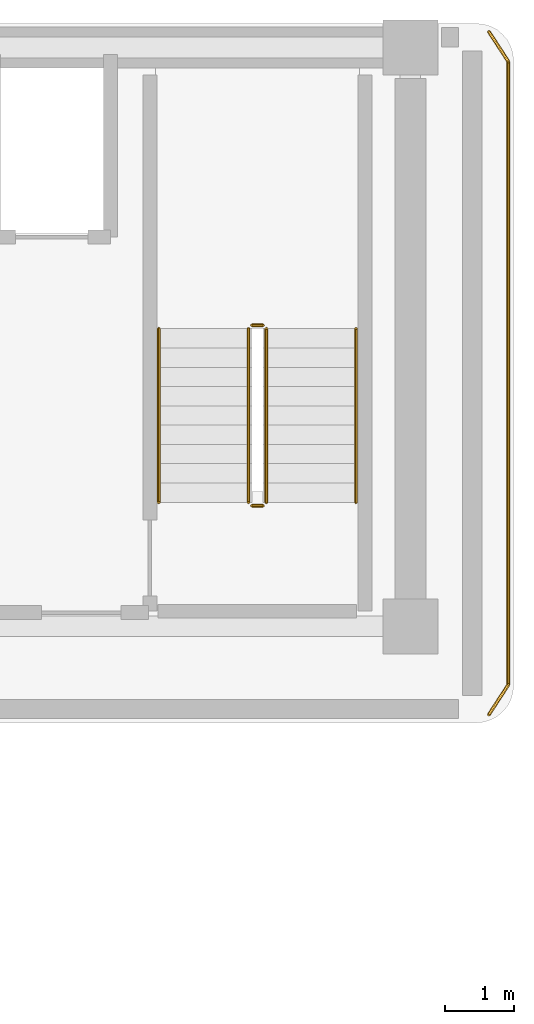
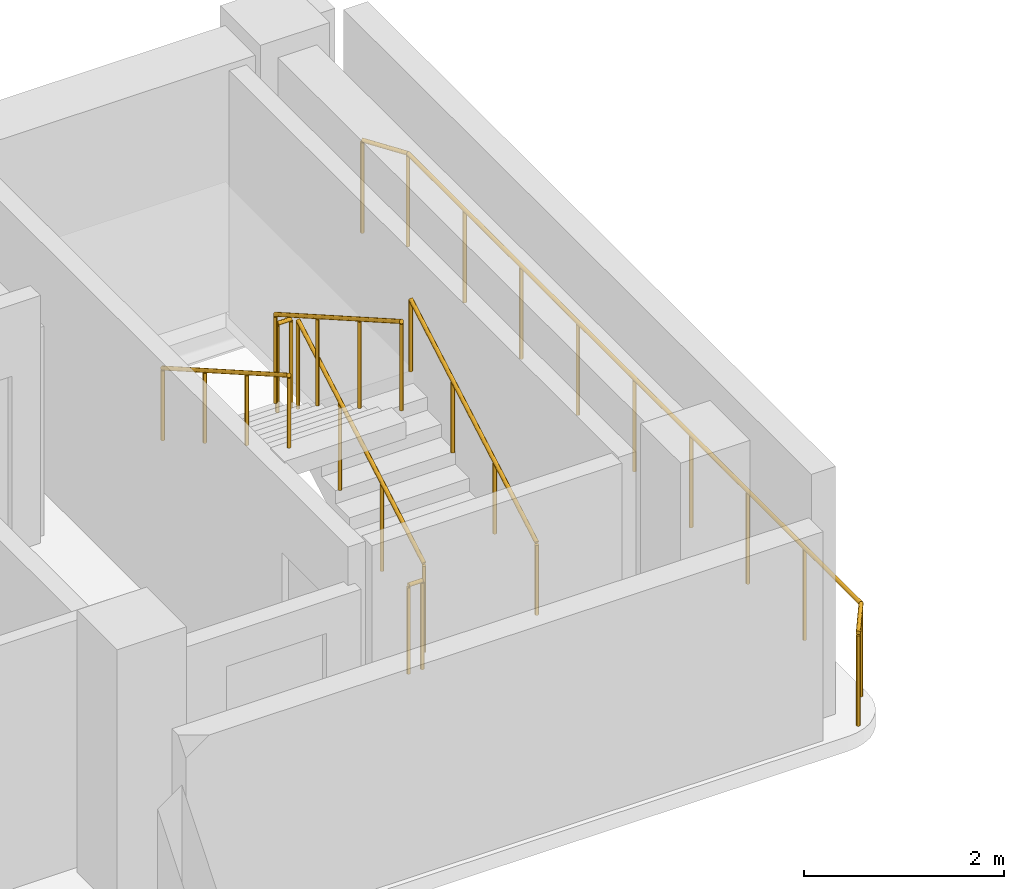
# One storey, part 11 of 11: 9 railings.
"""IFC4 building model written with IfcOpenShell, lengths in metres."""

from ifc_helpers import new_model, si_unit, direction, frame, origin, origin_2d, place, context, subcontext, project, spatial, circle, extrude, material, layer, layer_set, type_object, element, save


model = new_model("IFC4")

# Units and contexts
model_context = context("Model", 3, precision=1e-05, world=origin(), true_north=direction((0.0, 1.0)))
body_context = subcontext(model_context, "Body", "Model", "MODEL_VIEW")
ifc_project = project(units=[si_unit("LENGTHUNIT", "METRE"), si_unit("AREAUNIT", "SQUARE_METRE"), si_unit("VOLUMEUNIT", "CUBIC_METRE"), si_unit("PLANEANGLEUNIT", "RADIAN"), si_unit("MASSUNIT", "GRAM", prefix="KILO")], contexts=[model_context])

# Site, building, storey
site_placement = place(None, origin())
site = spatial("IfcSite", under=ifc_project, at=site_placement, CompositionType="ELEMENT")
building_placement = place(site_placement, origin())
building = spatial("IfcBuilding", under=site, at=building_placement, Name="Kuzgunbayir Cultural Tower", CompositionType="ELEMENT")
storey_placement = place(building_placement, frame((0.0, 0.0, 234.39990234375)))
storey = spatial("IfcBuildingStorey", under=building, at=storey_placement, Name="L69", CompositionType="ELEMENT", Elevation=234.39990234375)

# Railings
ifc_material_1 = material(Name="Laminated Glass and Stainless Steel", Category="steel")
ifc_layer_1 = layer(ifc_material_1, 0.080078125)
ifc_layer_set_1 = layer_set([ifc_layer_1], Name="Laminated Glass and Stainless Steel")
railing_type_1 = type_object("IfcRailingType", Name="RLG-BAL-115", PredefinedType="BALUSTRADE", material=ifc_layer_set_1)
railing_1_placement = place(storey_placement, frame((28.0400390625, 42.429931640625, 0.0)))
element("IfcRailing", 1, at=railing_1_placement, inside=storey, type_object=railing_type_1, Name="L69 Perimeter Edge Guard 1", PredefinedType="BALUSTRADE", context=body_context, shape_type="SweptSolid", body=[
    extrude(circle(Radius=0.02392578125, at=origin_2d()), frame((0.0, 0.0, 1.1259765625), z_axis=(0.545774188207, -0.837932297675, 0.0), x_axis=(0.837932297675, 0.545774188207, 0.0)), (0.0, 0.0, 1.0), 0.51318359375),
    extrude(circle(Radius=0.02099609375, at=origin_2d()), origin(), (0.0, 0.0, 1.0), 1.101806640625),
    extrude(circle(Radius=0.02099609375, at=origin_2d()), frame((0.280029296875, -0.429931640625, 0.0)), (0.0, 0.0, 1.0), 1.101806640625),
])
railing_2_placement = place(storey_placement, frame((28.320068359375, 42.0, 0.0)))
element("IfcRailing", 2, at=railing_2_placement, inside=storey, type_object=railing_type_1, Name="L69 Perimeter Edge Guard 2", PredefinedType="BALUSTRADE", context=body_context, shape_type="SweptSolid", body=[
    extrude(circle(Radius=0.02392578125, at=origin_2d()), frame((0.0, 0.0, 1.1259765625), z_axis=(0.0, -1.0, 0.0), x_axis=(1.0, 0.0, 0.0)), (0.0, 0.0, 1.0), 9.050048828125),
    extrude(circle(Radius=0.02099609375, at=origin_2d()), origin(), (0.0, 0.0, 1.0), 1.101806640625),
    extrude(circle(Radius=0.02099609375, at=origin_2d()), frame((0.0, -1.13134765625, 0.0)), (0.0, 0.0, 1.0), 1.101806640625),
    extrude(circle(Radius=0.02099609375, at=origin_2d()), frame((0.0, -2.262451171875, 0.0)), (0.0, 0.0, 1.0), 1.101806640625),
    extrude(circle(Radius=0.02099609375, at=origin_2d()), frame((0.0, -3.393798828125, 0.0)), (0.0, 0.0, 1.0), 1.101806640625),
    extrude(circle(Radius=0.02099609375, at=origin_2d()), frame((0.0, -4.52490234375, 0.0)), (0.0, 0.0, 1.0), 1.101806640625),
    extrude(circle(Radius=0.02099609375, at=origin_2d()), frame((0.0, -5.65625, 0.0)), (0.0, 0.0, 1.0), 1.101806640625),
    extrude(circle(Radius=0.02099609375, at=origin_2d()), frame((0.0, -6.78759765625, 0.0)), (0.0, 0.0, 1.0), 1.101806640625),
    extrude(circle(Radius=0.02099609375, at=origin_2d()), frame((0.0, -7.918701171875, 0.0)), (0.0, 0.0, 1.0), 1.101806640625),
    extrude(circle(Radius=0.02099609375, at=origin_2d()), frame((0.0, -9.050048828125, 0.0)), (0.0, 0.0, 1.0), 1.101806640625),
])
railing_3_placement = place(storey_placement, frame((28.320068359375, 32.949951171875, 0.0)))
element("IfcRailing", 3, at=railing_3_placement, inside=storey, type_object=railing_type_1, Name="L69 Perimeter Edge Guard 3", PredefinedType="BALUSTRADE", context=body_context, shape_type="SweptSolid", body=[
    extrude(circle(Radius=0.02392578125, at=origin_2d()), frame((0.0, 0.0, 1.1259765625), z_axis=(-0.545774188207, -0.837932297675, 0.0), x_axis=(0.837932297675, -0.545774188207, 0.0)), (0.0, 0.0, 1.0), 0.51318359375),
    extrude(circle(Radius=0.02099609375, at=origin_2d()), origin(), (0.0, 0.0, 1.0), 1.101806640625),
    extrude(circle(Radius=0.02099609375, at=origin_2d()), frame((-0.280029296875, -0.429931640625, 0.0)), (0.0, 0.0, 1.0), 1.101806640625),
])
ifc_material_2 = material(Name="Brushed Stainless Steel", Category="steel")
ifc_layer_2 = layer(ifc_material_2, 0.050048828125)
ifc_layer_set_2 = layer_set([ifc_layer_2], Name="Brushed Stainless Steel")
railing_type_2 = type_object("IfcRailingType", Name="RLG-STAIR-HANDRAIL", PredefinedType="HANDRAIL", material=ifc_layer_set_2)
railing_4_placement = place(storey_placement, frame((26.110107421875, 35.60009765625, 0.16015625)))
element("IfcRailing", 4, at=railing_4_placement, inside=storey, type_object=railing_type_2, Name="L69 ST-2 stair handrail 1", PredefinedType="HANDRAIL", context=body_context, shape_type="SweptSolid", body=[
    extrude(circle(Radius=0.02392578125, at=origin_2d()), frame((0.0, 0.0, 0.8759765625), z_axis=(0.0, 0.868253494771, 0.496120820787), x_axis=(-1.0, 0.0, 0.0)), (0.0, 0.0, 1.0), 2.90234375),
    extrude(circle(Radius=0.02099609375, at=origin_2d()), origin(), (0.0, 0.0, 1.0), 0.851806640625),
    extrude(circle(Radius=0.02099609375, at=origin_2d()), frame((0.0, 0.840087890625, 0.47998046875)), (0.0, 0.0, 1.0), 0.851806640625),
    extrude(circle(Radius=0.02099609375, at=origin_2d()), frame((0.0, 1.679931640625, 0.9599609375)), (0.0, 0.0, 1.0), 0.851806640625),
    extrude(circle(Radius=0.02099609375, at=origin_2d()), frame((0.0, 2.52001953125, 1.43994140625)), (0.0, 0.0, 1.0), 0.851806640625),
])
railing_5_placement = place(storey_placement, frame((23.25, 38.1201171875, 1.760009765625)))
element("IfcRailing", 5, at=railing_5_placement, inside=storey, type_object=railing_type_2, Name="L69 ST-2 stair handrail 2", PredefinedType="HANDRAIL", context=body_context, shape_type="SweptSolid", body=[
    extrude(circle(Radius=0.02392578125, at=origin_2d()), frame((0.0, 0.0, 0.8759765625), z_axis=(0.0, -0.868217259934, 0.496184229447), x_axis=(1.0, 0.0, 0.0)), (0.0, 0.0, 1.0), 2.902587890625),
    extrude(circle(Radius=0.02099609375, at=origin_2d()), origin(), (0.0, 0.0, 1.0), 0.851806640625),
    extrude(circle(Radius=0.02099609375, at=origin_2d()), frame((0.0, -0.840087890625, 0.47998046875)), (0.0, 0.0, 1.0), 0.851806640625),
    extrude(circle(Radius=0.02099609375, at=origin_2d()), frame((0.0, -1.679931640625, 0.960205078125)), (0.0, 0.0, 1.0), 0.851806640625),
    extrude(circle(Radius=0.02099609375, at=origin_2d()), frame((0.0, -2.52001953125, 1.440185546875)), (0.0, 0.0, 1.0), 0.851806640625),
])
ifc_material_3 = material(Name="Painted Steel Balustrade", Category="steel")
ifc_layer_3 = layer(ifc_material_3, 0.06005859375)
ifc_layer_set_3 = layer_set([ifc_layer_3], Name="Painted Steel Balustrade")
railing_type_3 = type_object("IfcRailingType", Name="RLG-WELL-GUARD", PredefinedType="GUARDRAIL", material=ifc_layer_set_3)
railing_6_placement = place(storey_placement, frame((24.81005859375, 35.60009765625, 0.16015625)))
element("IfcRailing", 6, at=railing_6_placement, inside=storey, type_object=railing_type_3, Name="L69 ST-2 stair guard 1", PredefinedType="GUARDRAIL", context=body_context, shape_type="SweptSolid", body=[
    extrude(circle(Radius=0.02392578125, at=origin_2d()), frame((0.0, 0.0, 1.076171875), z_axis=(0.0, 0.868253494771, 0.496120820787), x_axis=(-1.0, 0.0, 0.0)), (0.0, 0.0, 1.0), 2.90234375),
    extrude(circle(Radius=0.02099609375, at=origin_2d()), origin(), (0.0, 0.0, 1.0), 1.052001953125),
    extrude(circle(Radius=0.02099609375, at=origin_2d()), frame((0.0, 0.840087890625, 0.47998046875)), (0.0, 0.0, 1.0), 1.052001953125),
    extrude(circle(Radius=0.02099609375, at=origin_2d()), frame((0.0, 1.679931640625, 0.9599609375)), (0.0, 0.0, 1.0), 1.052001953125),
    extrude(circle(Radius=0.02099609375, at=origin_2d()), frame((0.0, 2.52001953125, 1.43994140625)), (0.0, 0.0, 1.0), 1.052001953125),
])
railing_7_placement = place(storey_placement, frame((24.760009765625, 38.169921875, 1.60009765625)))
element("IfcRailing", 7, at=railing_7_placement, inside=storey, type_object=railing_type_3, Name="L69 ST-2 stair guard 2", PredefinedType="GUARDRAIL", context=body_context, shape_type="SweptSolid", body=[
    extrude(circle(Radius=0.02392578125, at=origin_2d()), frame((0.0, 0.0, 1.076171875), z_axis=(-1.0, 0.0, 0.0), x_axis=(0.0, -1.0, 0.0)), (0.0, 0.0, 1.0), 0.159912109375),
    extrude(circle(Radius=0.02099609375, at=origin_2d()), origin(), (0.0, 0.0, 1.0), 1.052001953125),
    extrude(circle(Radius=0.02099609375, at=origin_2d()), frame((-0.159912109375, 0.0, 0.0)), (0.0, 0.0, 1.0), 1.052001953125),
])
railing_8_placement = place(storey_placement, frame((24.550048828125, 38.1201171875, 1.760009765625)))
element("IfcRailing", 8, at=railing_8_placement, inside=storey, type_object=railing_type_3, Name="L69 ST-2 stair guard 3", PredefinedType="GUARDRAIL", context=body_context, shape_type="SweptSolid", body=[
    extrude(circle(Radius=0.02392578125, at=origin_2d()), frame((0.0, 0.0, 1.076171875), z_axis=(0.0, -0.868217259934, 0.496184229447), x_axis=(1.0, 0.0, 0.0)), (0.0, 0.0, 1.0), 2.902587890625),
    extrude(circle(Radius=0.02099609375, at=origin_2d()), origin(), (0.0, 0.0, 1.0), 1.052001953125),
    extrude(circle(Radius=0.02099609375, at=origin_2d()), frame((0.0, -0.840087890625, 0.47998046875)), (0.0, 0.0, 1.0), 1.052001953125),
    extrude(circle(Radius=0.02099609375, at=origin_2d()), frame((0.0, -1.679931640625, 0.960205078125)), (0.0, 0.0, 1.0), 1.052001953125),
    extrude(circle(Radius=0.02099609375, at=origin_2d()), frame((0.0, -2.52001953125, 1.440185546875)), (0.0, 0.0, 1.0), 1.052001953125),
])
railing_9_placement = place(storey_placement, frame((24.760009765625, 35.550048828125, 0.0)))
element("IfcRailing", 9, at=railing_9_placement, inside=storey, type_object=railing_type_3, Name="L69 ST-2 stair guard 4", PredefinedType="GUARDRAIL", context=body_context, shape_type="SweptSolid", body=[
    extrude(circle(Radius=0.02392578125, at=origin_2d()), frame((0.0, 0.0, 1.076171875), z_axis=(-1.0, 0.0, 0.0), x_axis=(0.0, -1.0, 0.0)), (0.0, 0.0, 1.0), 0.159912109375),
    extrude(circle(Radius=0.02099609375, at=origin_2d()), origin(), (0.0, 0.0, 1.0), 1.052001953125),
    extrude(circle(Radius=0.02099609375, at=origin_2d()), frame((-0.159912109375, 0.0, 0.0)), (0.0, 0.0, 1.0), 1.052001953125),
])

save(model, "model.ifc")
